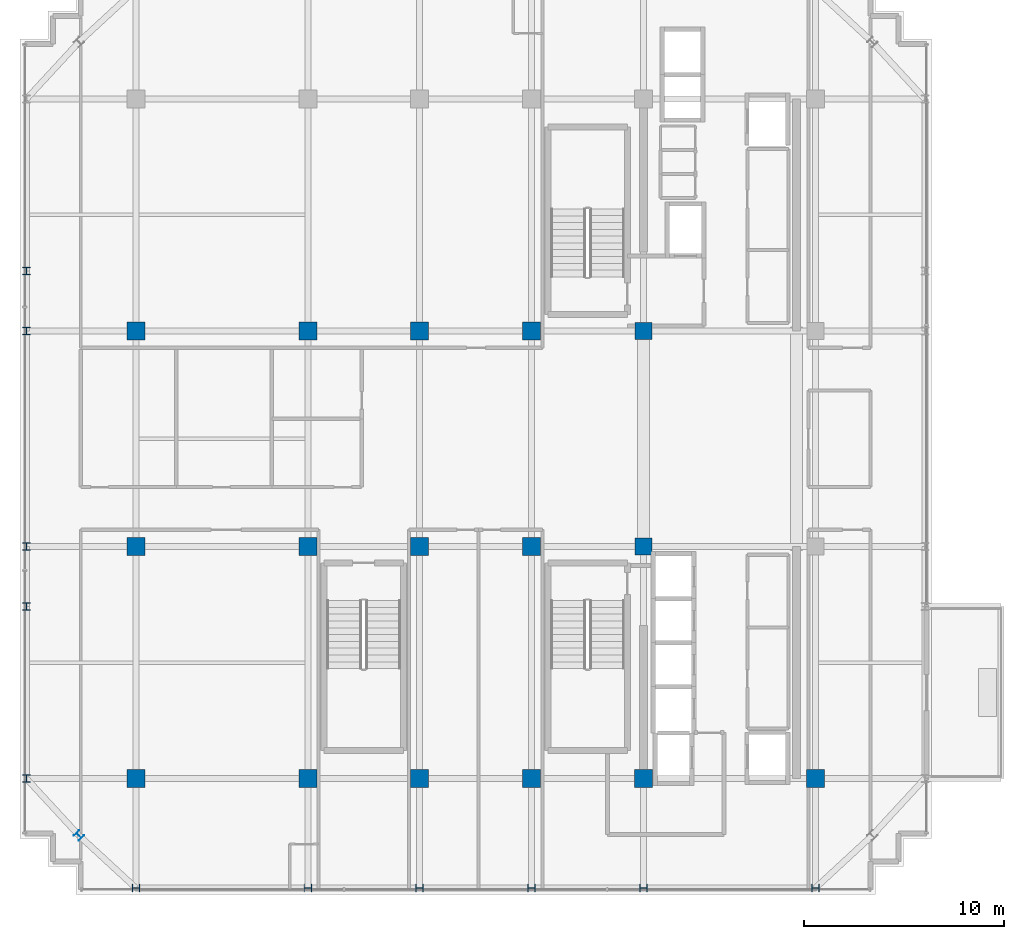
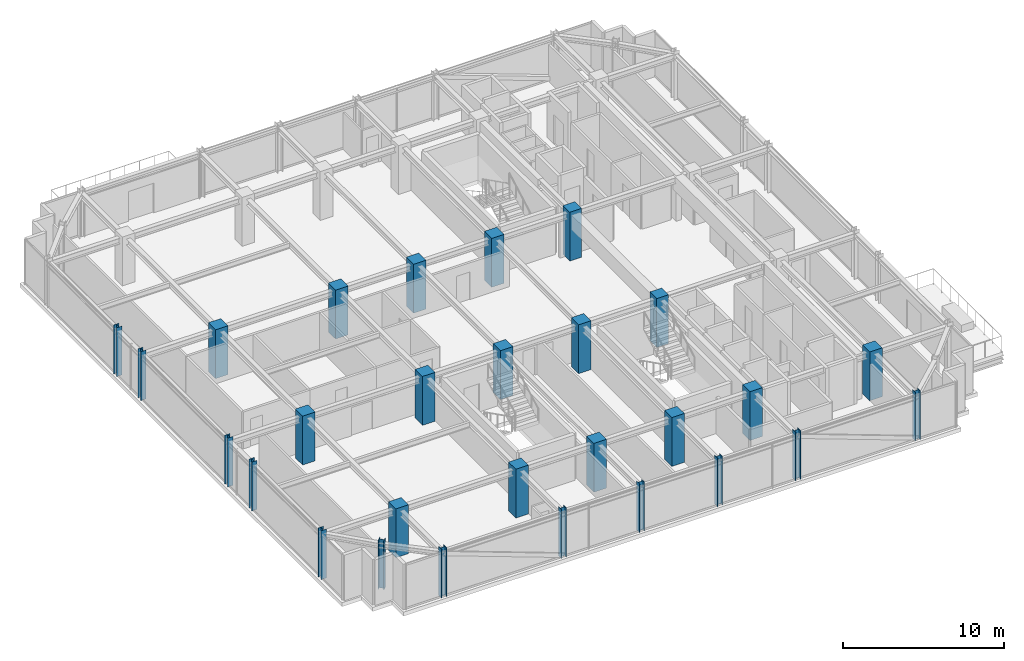
# One storey, part 1 of 31: 28 columns.
"""IFC4 building model written with IfcOpenShell, lengths in metres."""

from ifc_helpers import new_model, si_unit, direction, frame, origin, origin_2d, place, context, subcontext, project, spatial, rectangle, i_section, extrude, source, transform, mapped, material, material_profile, profile_set, type_object, element, save


model = new_model("IFC4")

# Units and contexts
model_context = context("Model", 3, precision=1e-05, world=origin(), true_north=direction((0.0, 1.0)))
body_context = subcontext(model_context, "Body", "Model", "MODEL_VIEW")
ifc_project = project(units=[si_unit("LENGTHUNIT", "METRE"), si_unit("AREAUNIT", "SQUARE_METRE"), si_unit("VOLUMEUNIT", "CUBIC_METRE"), si_unit("PLANEANGLEUNIT", "RADIAN"), si_unit("MASSUNIT", "GRAM", prefix="KILO")], contexts=[model_context])

# Site, building, storey
site_placement = place(None, origin())
site = spatial("IfcSite", under=ifc_project, at=site_placement, CompositionType="ELEMENT")
building_placement = place(site_placement, origin())
building = spatial("IfcBuilding", under=site, at=building_placement, Name="Nahalor Promenade Grand Hotel", CompositionType="ELEMENT")
storey_placement = place(building_placement, frame((0.0, 0.0, 281.300048828125)))
storey = spatial("IfcBuildingStorey", under=building, at=storey_placement, Name="L72", CompositionType="ELEMENT", Elevation=281.300048828125)

# Columns
ifc_material_1 = material(Name="Concrete B-50 (C40/50)", Category="concrete")
ifc_material_profile_1 = material_profile(ifc_material_1, rectangle(XDim=0.9, YDim=0.9, at=origin_2d()), Name="RC 900x900")
ifc_profile_set_1 = profile_set([ifc_material_profile_1], Name="Concrete B-50 (C40/50)")
column_type_1 = type_object("IfcColumnType", Name="Col-RC-900", PredefinedType="COLUMN", material=ifc_profile_set_1)
shared_shape_1 = source(origin(), body_context, "Body", "SweptSolid", [
    extrude(rectangle(XDim=0.9, YDim=0.9, at=origin_2d()), origin(), (0.0, 0.0, 1.0), 3.704833984375),
])
for number, where, z_axis, x_axis, name in (
    (1, (-17.0, -17.0, 0.0), (0.0, 0.0, 1.0), (1.0, 0.0, 0.0), "COL-L72-I00"),
    (2, (-17.0, -5.39990234375, 0.0), (0.0, 0.0, 1.0), (1.0, 0.0, 0.0), "COL-L72-I01"),
    (3, (-17.0, 5.39990234375, 0.0), (0.0, 0.0, 1.0), (1.0, 0.0, 0.0), "COL-L72-I02"),
    (4, (-8.39990234375, -17.0, 0.0), (0.0, 0.0, 1.0), (1.0, 0.0, 0.0), "COL-L72-I10"),
    (5, (-8.39990234375, -5.39990234375, 0.0), (0.0, 0.0, 1.0), (1.0, 0.0, 0.0), "COL-L72-I11"),
    (6, (-8.39990234375, 5.39990234375, 0.0), (0.0, 0.0, 1.0), (1.0, 0.0, 0.0), "COL-L72-I12"),
    (7, (-2.800048828125, -17.0, 0.0), (0.0, 0.0, 1.0), (1.0, 0.0, 0.0), "COL-L72-I20"),
    (8, (-2.800048828125, -5.39990234375, 0.0), (0.0, 0.0, 1.0), (1.0, 0.0, 0.0), "COL-L72-I21"),
    (9, (-2.800048828125, 5.39990234375, 0.0), (0.0, 0.0, 1.0), (1.0, 0.0, 0.0), "COL-L72-I22"),
    (10, (2.800048828125, -17.0, 0.0), (0.0, 0.0, 1.0), (1.0, 0.0, 0.0), "COL-L72-I30"),
    (11, (2.800048828125, -5.39990234375, 0.0), (0.0, 0.0, 1.0), (1.0, 0.0, 0.0), "COL-L72-I31"),
    (12, (2.800048828125, 5.39990234375, 0.0), (0.0, 0.0, 1.0), (1.0, 0.0, 0.0), "COL-L72-I32"),
    (13, (8.39990234375, -17.0, 0.0), (0.0, 0.0, 1.0), (1.0, 0.0, 0.0), "COL-L72-I40"),
    (14, (17.0, -17.0, 0.0), (0.0, 0.0, 1.0), (1.0, 0.0, 0.0), "COL-L72-I50"),
):
    element("IfcColumn", number, at=place(storey_placement, frame(where, z_axis=z_axis, x_axis=x_axis)), inside=storey, type_object=column_type_1, Name=name, PredefinedType="COLUMN", context=body_context, shape_type="MappedRepresentation", body=[
        mapped(shared_shape_1, transform((0.0, 0.0, 0.0), scale=1.0)),
    ])
ifc_material_2 = material(Name="Concrete B-70 (C60/75)", Category="concrete")
ifc_material_profile_2 = material_profile(ifc_material_2, rectangle(XDim=0.85, YDim=0.85, at=origin_2d()), Name="RC 850x850")
ifc_profile_set_2 = profile_set([ifc_material_profile_2], Name="Concrete B-70 (C60/75)")
column_type_2 = type_object("IfcColumnType", Name="Col-Pilaster-850", PredefinedType="PILASTER", material=ifc_profile_set_2)
shared_shape_2 = source(origin(), body_context, "Body", "SweptSolid", [
    extrude(rectangle(XDim=0.85, YDim=0.85, at=origin_2d()), origin(), (0.0, 0.0, 1.0), 3.704833984375),
])
for number, where, z_axis, x_axis, name in (
    (15, (8.39990234375, -5.39990234375, 0.0), (0.0, 0.0, 1.0), (1.0, 0.0, 0.0), "COL-L72-I41"),
    (16, (8.39990234375, 5.39990234375, 0.0), (0.0, 0.0, 1.0), (1.0, 0.0, 0.0), "COL-L72-I42"),
):
    element("IfcColumn", number, at=place(storey_placement, frame(where, z_axis=z_axis, x_axis=x_axis)), inside=storey, type_object=column_type_2, Name=name, PredefinedType="PILASTER", context=body_context, shape_type="MappedRepresentation", body=[
        mapped(shared_shape_2, transform((0.0, 0.0, 0.0), scale=1.0)),
    ])
ifc_material_3 = material(Name="Steel S355JR", Category="steel")
ifc_material_profile_3 = material_profile(ifc_material_3, i_section(OverallWidth=0.374, OverallDepth=0.374, WebThickness=0.0144, FlangeThickness=0.0229, at=origin_2d()), Name="HD 360x262")
ifc_profile_set_3 = profile_set([ifc_material_profile_3], Name="Steel S355JR")
column_type_3 = type_object("IfcColumnType", Name="Col-Steel-HD262", PredefinedType="COLUMN", material=ifc_profile_set_3)
shared_shape_3 = source(origin(), body_context, "Body", "SweptSolid", [
    extrude(i_section(OverallWidth=0.374, OverallDepth=0.374, WebThickness=0.0144, FlangeThickness=0.0229, at=origin_2d()), origin(), (0.0, 0.0, 1.0), 3.704833984375),
])
for number, where, z_axis, x_axis, name in (
    (17, (-22.47998046875, -17.0, 0.0), (0.0, 0.0, 1.0), (1.0, 0.0, 0.0), "COL-L72-PW-W0"),
    (18, (-22.47998046875, -8.39990234375, 0.0), (0.0, 0.0, 1.0), (1.0, 0.0, 0.0), "COL-L72-PW-W1"),
    (19, (-22.47998046875, -5.39990234375, 0.0), (0.0, 0.0, 1.0), (1.0, 0.0, 0.0), "COL-L72-PW-W2"),
    (20, (-22.47998046875, 5.39990234375, 0.0), (0.0, 0.0, 1.0), (1.0, 0.0, 0.0), "COL-L72-PW-W3"),
    (21, (-22.47998046875, 8.39990234375, 0.0), (0.0, 0.0, 1.0), (1.0, 0.0, 0.0), "COL-L72-PW-W4"),
    (22, (-17.0, -22.47998046875, 0.0), (0.0, 0.0, 1.0), (0.0, 1.0, 0.0), "COL-L72-PN-S0"),
    (23, (-8.39990234375, -22.47998046875, 0.0), (0.0, 0.0, 1.0), (0.0, 1.0, 0.0), "COL-L72-PN-S1"),
    (24, (-2.800048828125, -22.47998046875, 0.0), (0.0, 0.0, 1.0), (0.0, 1.0, 0.0), "COL-L72-PN-S2"),
    (25, (2.800048828125, -22.47998046875, 0.0), (0.0, 0.0, 1.0), (0.0, 1.0, 0.0), "COL-L72-PN-S3"),
    (26, (8.39990234375, -22.47998046875, 0.0), (0.0, 0.0, 1.0), (0.0, 1.0, 0.0), "COL-L72-PN-S4"),
    (27, (17.0, -22.47998046875, 0.0), (0.0, 0.0, 1.0), (0.0, 1.0, 0.0), "COL-L72-PN-S5"),
    (28, (-19.85009765625, -19.85009765625, 0.0), (0.0, 0.0, 1.0), (0.707106781187, 0.707106781187, 0.0), "COL-L72-CRN-SW"),
):
    element("IfcColumn", number, at=place(storey_placement, frame(where, z_axis=z_axis, x_axis=x_axis)), inside=storey, type_object=column_type_3, Name=name, PredefinedType="COLUMN", context=body_context, shape_type="MappedRepresentation", body=[
        mapped(shared_shape_3, transform((0.0, 0.0, 0.0), scale=1.0)),
    ])

save(model, "model.ifc")
